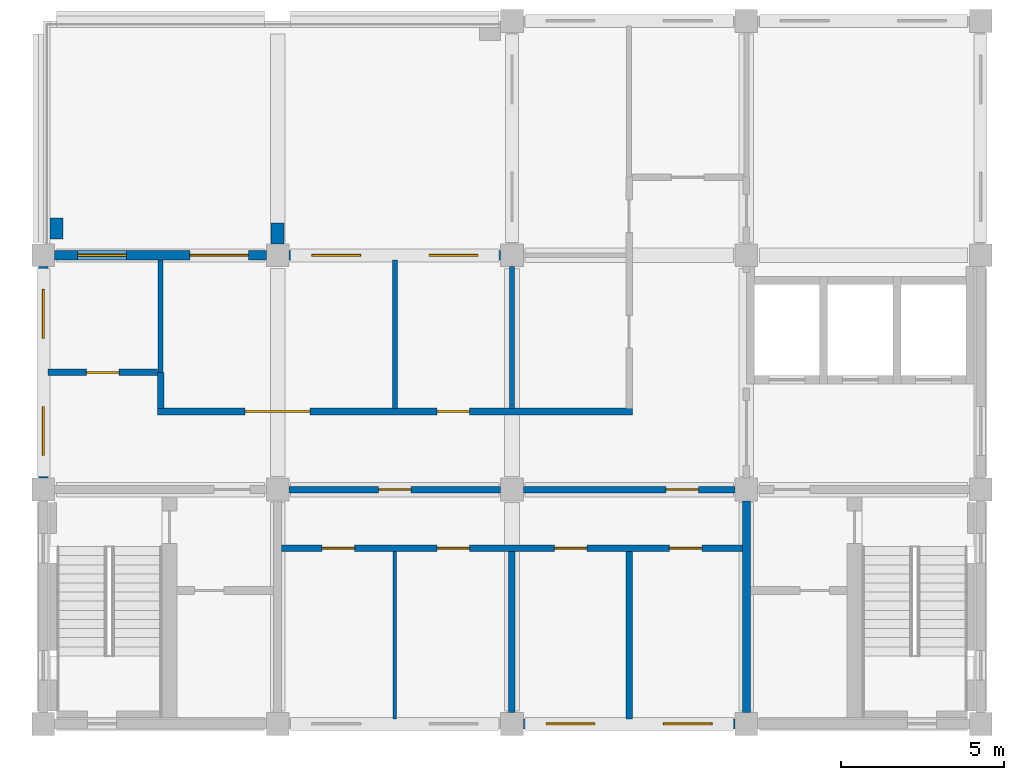
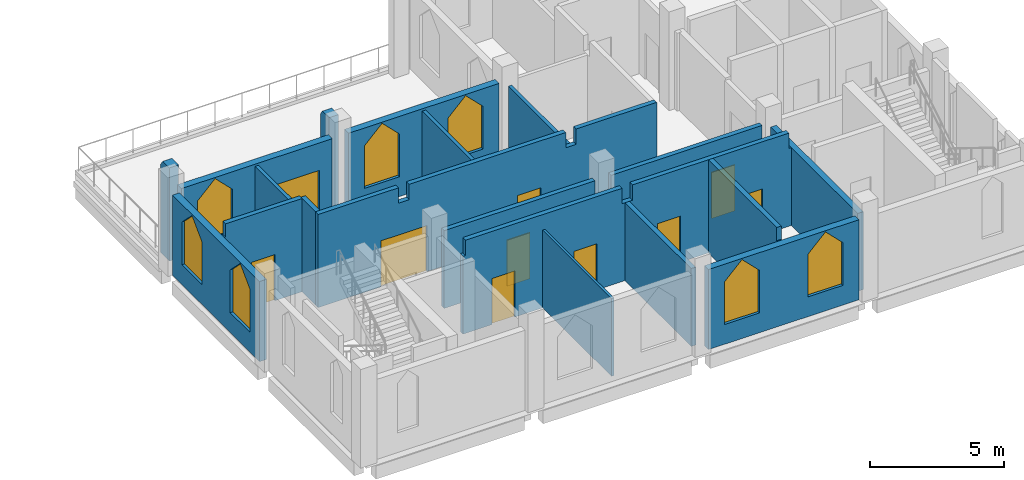
# One storey, part 25 of 29: 19 walls, 10 doors, 7 windows, 17 openings.
"""IFC4 building model written with IfcOpenShell, lengths in metres."""

from ifc_helpers import new_model, si_unit, direction, frame, frame_2d, origin, place, context, subcontext, project, spatial, polyline, rectangle, outline, extrude, material, layer, layer_set, type_object, element, fill, save


model = new_model("IFC4")

# Units and contexts
model_context = context("Model", 3, precision=1e-05, world=origin(), true_north=direction((0.0, 1.0)))
body_context = subcontext(model_context, "Body", "Model", "MODEL_VIEW")
ifc_project = project(units=[si_unit("LENGTHUNIT", "METRE"), si_unit("AREAUNIT", "SQUARE_METRE"), si_unit("VOLUMEUNIT", "CUBIC_METRE"), si_unit("PLANEANGLEUNIT", "RADIAN"), si_unit("MASSUNIT", "GRAM", prefix="KILO")], contexts=[model_context])

# Site, building, storey
site_placement = place(None, origin())
site = spatial("IfcSite", under=ifc_project, at=site_placement, CompositionType="ELEMENT")
building_placement = place(site_placement, origin())
building = spatial("IfcBuilding", under=site, at=building_placement, Name="Silangan Lancet Faculty of Sciences", CompositionType="ELEMENT")
storey_placement = place(building_placement, frame((0.0, 0.0, 54.300048828125)))
storey = spatial("IfcBuildingStorey", under=building, at=storey_placement, Name="L11", CompositionType="ELEMENT", Elevation=54.300048828125)

# Wall, openings, windows
ifc_material_1 = material(Name="Concrete C40/50 precast", Category="concrete")
ifc_layer_1 = layer(ifc_material_1, 0.300048828125)
ifc_layer_set_1 = layer_set([ifc_layer_1], Name="Concrete C40/50 precast")
wall_type_1 = type_object("IfcWallType", Name="EW1 Precast cladding wall", PredefinedType="STANDARD", material=ifc_layer_set_1)
wall_1_placement = place(storey_placement, frame((0.0, 7.550048828125, 0.0), z_axis=(0.0, 0.0, 1.0), x_axis=(0.0, 1.0, 0.0)))
wall_1 = element("IfcWall", 1, at=wall_1_placement, inside=storey, type_object=wall_type_1, Name="EW-L11-W-ST-U-01", PredefinedType="STANDARD", context=body_context, shape_type="SweptSolid", body=[
    extrude(rectangle(XDim=6.5, YDim=0.300048828125, at=frame_2d((3.25, 0.0))), origin(), (0.0, 0.0, 1.0), 3.64990234375),
])
opening_1_placement = place(wall_1_placement, frame((0.699951171875, 0.0, 0.89990234375)))
opening_1 = element("IfcOpeningElement", 2, at=opening_1_placement, cuts=wall_1, Name="Opening W23", PredefinedType="OPENING", context=body_context, shape_type="SweptSolid", body=[
    extrude(outline(polyline([(0.0, 0.0), (1.5, 0.0), (1.5, 1.949951171875), (0.75, 2.699951171875), (0.0, 1.949951171875), (0.0, 0.0)])), frame((0.0, 0.159912109375, 0.0), z_axis=(0.0, -1.0, 0.0), x_axis=(1.0, 0.0, 0.0)), (0.0, 0.0, 1.0), 0.320068359375),
])
opening_2_placement = place(wall_1_placement, frame((4.300048828125, 0.0, 0.89990234375)))
opening_2 = element("IfcOpeningElement", 3, at=opening_2_placement, cuts=wall_1, Name="Opening W23", PredefinedType="OPENING", context=body_context, shape_type="SweptSolid", body=[
    extrude(outline(polyline([(0.0, 0.0), (1.5, 0.0), (1.5, 1.949951171875), (0.75, 2.699951171875), (0.0, 1.949951171875), (0.0, 0.0)])), frame((0.0, 0.159912109375, 0.0), z_axis=(0.0, -1.0, 0.0), x_axis=(1.0, 0.0, 0.0)), (0.0, 0.0, 1.0), 0.320068359375),
])
ifc_material_2 = material(Name="Aluminium frame, laminated double glazing", Category="aluminium")
window_type = type_object("IfcWindowType", Name="W23 Lancet window 1500 x 2700", PartitioningType="SINGLE_PANEL", PredefinedType="WINDOW", material=ifc_material_2)
window_1_placement = place(opening_1_placement, origin())
window_1 = element("IfcWindow", 4, at=window_1_placement, inside=storey, type_object=window_type, Name="WIN-L11-W-ST-U-01a", OverallHeight=2.699951171875, OverallWidth=1.5, PartitioningType="SINGLE_PANEL", PredefinedType="WINDOW", context=body_context, shape_type="SweptSolid", body=[
    extrude(outline(polyline([(0.0, 0.0), (1.5, 0.0), (1.5, 1.949951171875), (0.75, 2.699951171875), (0.0, 1.949951171875), (0.0, 0.0)])), frame((0.0, 0.030029296875, 0.0), z_axis=(0.0, -1.0, 0.0), x_axis=(1.0, 0.0, 0.0)), (0.0, 0.0, 1.0), 0.06005859375),
])
fill(opening_1, window_1)
window_2_placement = place(opening_2_placement, origin())
window_2 = element("IfcWindow", 5, at=window_2_placement, inside=storey, type_object=window_type, Name="WIN-L11-W-ST-U-01b", OverallHeight=2.699951171875, OverallWidth=1.5, PartitioningType="SINGLE_PANEL", PredefinedType="WINDOW", context=body_context, shape_type="SweptSolid", body=[
    extrude(outline(polyline([(0.0, 0.0), (1.5, 0.0), (1.5, 1.949951171875), (0.75, 2.699951171875), (0.0, 1.949951171875), (0.0, 0.0)])), frame((0.0, 0.030029296875, 0.0), z_axis=(0.0, -1.0, 0.0), x_axis=(1.0, 0.0, 0.0)), (0.0, 0.0, 1.0), 0.06005859375),
])
fill(opening_2, window_2)

wall_2_placement = place(storey_placement, frame((14.75, 0.0, 0.0), z_axis=(0.0, 0.0, 1.0), x_axis=(1.0, 0.0, 0.0)))
wall_2 = element("IfcWall", 6, at=wall_2_placement, inside=storey, type_object=wall_type_1, Name="EW-L11-S-ST-02", PredefinedType="STANDARD", context=body_context, shape_type="SweptSolid", body=[
    extrude(rectangle(XDim=6.5, YDim=0.300048828125, at=frame_2d((3.25, 0.0))), origin(), (0.0, 0.0, 1.0), 3.64990234375),
])
opening_3_placement = place(wall_2_placement, frame((0.699951171875, 0.0, 0.89990234375)))
opening_3 = element("IfcOpeningElement", 7, at=opening_3_placement, cuts=wall_2, Name="Opening W23", PredefinedType="OPENING", context=body_context, shape_type="SweptSolid", body=[
    extrude(outline(polyline([(0.0, 0.0), (1.5, 0.0), (1.5, 1.949951171875), (0.75, 2.699951171875), (0.0, 1.949951171875), (0.0, 0.0)])), frame((0.0, 0.159912109375, 0.0), z_axis=(0.0, -1.0, 0.0), x_axis=(1.0, 0.0, 0.0)), (0.0, 0.0, 1.0), 0.320068359375),
])
opening_4_placement = place(wall_2_placement, frame((4.300048828125, 0.0, 0.89990234375)))
opening_4 = element("IfcOpeningElement", 8, at=opening_4_placement, cuts=wall_2, Name="Opening W23", PredefinedType="OPENING", context=body_context, shape_type="SweptSolid", body=[
    extrude(outline(polyline([(0.0, 0.0), (1.5, 0.0), (1.5, 1.949951171875), (0.75, 2.699951171875), (0.0, 1.949951171875), (0.0, 0.0)])), frame((0.0, 0.159912109375, 0.0), z_axis=(0.0, -1.0, 0.0), x_axis=(1.0, 0.0, 0.0)), (0.0, 0.0, 1.0), 0.320068359375),
])
window_3_placement = place(opening_3_placement, origin())
window_3 = element("IfcWindow", 9, at=window_3_placement, inside=storey, type_object=window_type, Name="WIN-L11-S-ST-02a", OverallHeight=2.699951171875, OverallWidth=1.5, PartitioningType="SINGLE_PANEL", PredefinedType="WINDOW", context=body_context, shape_type="SweptSolid", body=[
    extrude(outline(polyline([(0.0, 0.0), (1.5, 0.0), (1.5, 1.949951171875), (0.75, 2.699951171875), (0.0, 1.949951171875), (0.0, 0.0)])), frame((0.0, 0.030029296875, 0.0), z_axis=(0.0, -1.0, 0.0), x_axis=(1.0, 0.0, 0.0)), (0.0, 0.0, 1.0), 0.06005859375),
])
fill(opening_3, window_3)
window_4_placement = place(opening_4_placement, origin())
window_4 = element("IfcWindow", 10, at=window_4_placement, inside=storey, type_object=window_type, Name="WIN-L11-S-ST-02b", OverallHeight=2.699951171875, OverallWidth=1.5, PartitioningType="SINGLE_PANEL", PredefinedType="WINDOW", context=body_context, shape_type="SweptSolid", body=[
    extrude(outline(polyline([(0.0, 0.0), (1.5, 0.0), (1.5, 1.949951171875), (0.75, 2.699951171875), (0.0, 1.949951171875), (0.0, 0.0)])), frame((0.0, 0.030029296875, 0.0), z_axis=(0.0, -1.0, 0.0), x_axis=(1.0, 0.0, 0.0)), (0.0, 0.0, 1.0), 0.06005859375),
])
fill(opening_4, window_4)

wall_3_placement = place(storey_placement, frame((14.050048828125, 14.39990234375, 0.0), z_axis=(0.0, 0.0, 1.0), x_axis=(-1.0, 0.0, 0.0)))
wall_3 = element("IfcWall", 11, at=wall_3_placement, inside=storey, type_object=wall_type_1, Name="EW-L11-N-ST-T-00", PredefinedType="STANDARD", context=body_context, shape_type="SweptSolid", body=[
    extrude(rectangle(XDim=6.5, YDim=0.300048828125, at=frame_2d((3.25, 0.0))), origin(), (0.0, 0.0, 1.0), 3.64990234375),
])
opening_5_placement = place(wall_3_placement, frame((0.699951171875, 0.0, 0.89990234375)))
opening_5 = element("IfcOpeningElement", 12, at=opening_5_placement, cuts=wall_3, Name="Opening W23", PredefinedType="OPENING", context=body_context, shape_type="SweptSolid", body=[
    extrude(outline(polyline([(0.0, 0.0), (1.5, 0.0), (1.5, 1.949951171875), (0.75, 2.699951171875), (0.0, 1.949951171875), (0.0, 0.0)])), frame((0.0, 0.159912109375, 0.0), z_axis=(0.0, -1.0, 0.0), x_axis=(1.0, 0.0, 0.0)), (0.0, 0.0, 1.0), 0.320068359375),
])
opening_6_placement = place(wall_3_placement, frame((4.300048828125, 0.0, 0.89990234375)))
opening_6 = element("IfcOpeningElement", 13, at=opening_6_placement, cuts=wall_3, Name="Opening W23", PredefinedType="OPENING", context=body_context, shape_type="SweptSolid", body=[
    extrude(outline(polyline([(0.0, 0.0), (1.5, 0.0), (1.5, 1.949951171875), (0.75, 2.699951171875), (0.0, 1.949951171875), (0.0, 0.0)])), frame((0.0, 0.159912109375, 0.0), z_axis=(0.0, -1.0, 0.0), x_axis=(1.0, 0.0, 0.0)), (0.0, 0.0, 1.0), 0.320068359375),
])
window_5_placement = place(opening_5_placement, origin())
window_5 = element("IfcWindow", 14, at=window_5_placement, inside=storey, type_object=window_type, Name="WIN-L11-N-ST-T-00a", OverallHeight=2.699951171875, OverallWidth=1.5, PartitioningType="SINGLE_PANEL", PredefinedType="WINDOW", context=body_context, shape_type="SweptSolid", body=[
    extrude(outline(polyline([(0.0, 0.0), (1.5, 0.0), (1.5, 1.949951171875), (0.75, 2.699951171875), (0.0, 1.949951171875), (0.0, 0.0)])), frame((0.0, 0.030029296875, 0.0), z_axis=(0.0, -1.0, 0.0), x_axis=(1.0, 0.0, 0.0)), (0.0, 0.0, 1.0), 0.06005859375),
])
fill(opening_5, window_5)
window_6_placement = place(opening_6_placement, origin())
window_6 = element("IfcWindow", 15, at=window_6_placement, inside=storey, type_object=window_type, Name="WIN-L11-N-ST-T-00b", OverallHeight=2.699951171875, OverallWidth=1.5, PartitioningType="SINGLE_PANEL", PredefinedType="WINDOW", context=body_context, shape_type="SweptSolid", body=[
    extrude(outline(polyline([(0.0, 0.0), (1.5, 0.0), (1.5, 1.949951171875), (0.75, 2.699951171875), (0.0, 1.949951171875), (0.0, 0.0)])), frame((0.0, 0.030029296875, 0.0), z_axis=(0.0, -1.0, 0.0), x_axis=(1.0, 0.0, 0.0)), (0.0, 0.0, 1.0), 0.06005859375),
])
fill(opening_6, window_6)

# Wall, openings, window, door
wall_4_placement = place(storey_placement, frame((6.85009765625, 14.39990234375, 0.0), z_axis=(0.0, 0.0, 1.0), x_axis=(-1.0, 0.0, 0.0)))
wall_4 = element("IfcWall", 16, at=wall_4_placement, inside=storey, type_object=wall_type_1, Name="EW-L11-N-ST-T-01", PredefinedType="STANDARD", context=body_context, shape_type="SweptSolid", body=[
    extrude(rectangle(XDim=6.5, YDim=0.300048828125, at=frame_2d((3.25, 0.0))), origin(), (0.0, 0.0, 1.0), 3.64990234375),
])
opening_7_placement = place(wall_4_placement, frame((0.550048828125, 0.0, 0.0)))
opening_7 = element("IfcOpeningElement", 17, at=opening_7_placement, cuts=wall_4, Name="Opening L11-901", PredefinedType="OPENING", context=body_context, shape_type="SweptSolid", body=[
    extrude(rectangle(XDim=1.800048828125, YDim=2.39990234375, at=frame_2d((0.89990234375, 1.199951171875))), frame((0.0, 0.159912109375, 0.0), z_axis=(0.0, -1.0, 0.0), x_axis=(1.0, 0.0, 0.0)), (0.0, 0.0, 1.0), 0.320068359375),
])
opening_8_placement = place(wall_4_placement, frame((4.300048828125, 0.0, 0.89990234375)))
opening_8 = element("IfcOpeningElement", 18, at=opening_8_placement, cuts=wall_4, Name="Opening W23", PredefinedType="OPENING", context=body_context, shape_type="SweptSolid", body=[
    extrude(outline(polyline([(0.0, 0.0), (1.5, 0.0), (1.5, 1.949951171875), (0.75, 2.699951171875), (0.0, 1.949951171875), (0.0, 0.0)])), frame((0.0, 0.159912109375, 0.0), z_axis=(0.0, -1.0, 0.0), x_axis=(1.0, 0.0, 0.0)), (0.0, 0.0, 1.0), 0.320068359375),
])
window_7_placement = place(opening_8_placement, origin())
window_7 = element("IfcWindow", 19, at=window_7_placement, inside=storey, type_object=window_type, Name="WIN-L11-N-ST-T-01b", OverallHeight=2.699951171875, OverallWidth=1.5, PartitioningType="SINGLE_PANEL", PredefinedType="WINDOW", context=body_context, shape_type="SweptSolid", body=[
    extrude(outline(polyline([(0.0, 0.0), (1.5, 0.0), (1.5, 1.949951171875), (0.75, 2.699951171875), (0.0, 1.949951171875), (0.0, 0.0)])), frame((0.0, 0.030029296875, 0.0), z_axis=(0.0, -1.0, 0.0), x_axis=(1.0, 0.0, 0.0)), (0.0, 0.0, 1.0), 0.06005859375),
])
fill(opening_8, window_7)
ifc_material_3 = material(Name="Aluminium frame, laminated glazing", Category="aluminium")
door_type_1 = type_object("IfcDoorType", Name="XD3 Terrace door pair 1800 x 2400", OperationType="DOUBLE_DOOR_SINGLE_SWING", PredefinedType="DOOR", material=ifc_material_3)
door_1_placement = place(opening_7_placement, frame((1.800048828125, 0.0, 0.0), z_axis=(0.0, 0.0, 1.0), x_axis=(-1.0, 0.0, 0.0)))
door_1 = element("IfcDoor", 20, at=door_1_placement, inside=storey, type_object=door_type_1, Name="DOOR-L11-901", OperationType="DOUBLE_DOOR_SINGLE_SWING", OverallHeight=2.39990234375, OverallWidth=1.800048828125, PredefinedType="DOOR", context=body_context, shape_type="SweptSolid", body=[
    extrude(rectangle(XDim=1.800048828125, YDim=2.39990234375, at=frame_2d((0.89990234375, 1.199951171875))), frame((0.0, 0.025146484375, 0.0), z_axis=(0.0, -1.0, 0.0), x_axis=(1.0, 0.0, 0.0)), (0.0, 0.0, 1.0), 0.050048828125),
])
fill(opening_7, door_1)

# Walls
ifc_material_4 = material(Name="Concrete C40/50 precast", Category="concrete")
ifc_layer_2 = layer(ifc_material_4, 0.39990234375)
ifc_layer_set_2 = layer_set([ifc_layer_2], Name="Concrete C40/50 precast")
wall_type_2 = type_object("IfcWallType", Name="FN19 Buttress Fin column line stage 3 4250", PredefinedType="POLYGONAL", material=ifc_layer_set_2)
wall_5_placement = place(storey_placement, frame((0.39990234375, 14.89990234375, 0.0), z_axis=(0.0, 0.0, 1.0), x_axis=(0.0, 1.0, 0.0)))
element("IfcWall", 21, at=wall_5_placement, inside=storey, type_object=wall_type_2, Name="FINC-N-ST-T-01", PredefinedType="POLYGONAL", context=body_context, shape_type="SweptSolid", body=[
    extrude(outline(polyline([(0.64990234375, 0.0), (0.64990234375, 4.02490234375), (0.5, 4.25), (0.0, 4.25), (0.0, 0.0), (0.64990234375, 0.0)])), frame((0.0, 0.199951171875, 0.0), z_axis=(0.0, -1.0, 0.0), x_axis=(1.0, 0.0, 0.0)), (0.0, 0.0, 1.0), 0.39990234375),
])
ifc_material_5 = material(Name="Concrete C40/50 precast", Category="concrete")
ifc_layer_3 = layer(ifc_material_5, 0.39990234375)
ifc_layer_set_3 = layer_set([ifc_layer_3], Name="Concrete C40/50 precast")
wall_type_3 = type_object("IfcWallType", Name="FN32 Buttress Fin column line stage 3 4250", PredefinedType="POLYGONAL", material=ifc_layer_set_3)
wall_6_placement = place(storey_placement, frame((7.199951171875, 14.75, 0.0), z_axis=(0.0, 0.0, 1.0), x_axis=(0.0, 1.0, 0.0)))
element("IfcWall", 22, at=wall_6_placement, inside=storey, type_object=wall_type_3, Name="FINC-N-ST-T-02", PredefinedType="POLYGONAL", context=body_context, shape_type="SweptSolid", body=[
    extrude(outline(polyline([(0.64990234375, 0.0), (0.64990234375, 4.02490234375), (0.5, 4.25), (0.0, 4.25), (0.0, 0.0), (0.64990234375, 0.0)])), frame((0.0, 0.199951171875, 0.0), z_axis=(0.0, -1.0, 0.0), x_axis=(1.0, 0.0, 0.0)), (0.0, 0.0, 1.0), 0.39990234375),
])

# Wall, openings, doors
ifc_material_6 = material(Name="Hollow block masonry fm 7 MPa", Category="masonry")
ifc_layer_4 = layer(ifc_material_6, 0.199951171875)
ifc_layer_set_4 = layer_set([ifc_layer_4], Name="Hollow block masonry fm 7 MPa")
wall_type_4 = type_object("IfcWallType", Name="Interior wall PW1 Corridor wall CHB 200", PredefinedType="PARTITIONING", material=ifc_layer_set_4)
wall_7_placement = place(storey_placement, frame((7.324951171875, 5.39990234375, 0.0), z_axis=(0.0, 0.0, 1.0), x_axis=(1.0, 0.0, 0.0)))
wall_7 = element("IfcWall", 23, at=wall_7_placement, inside=storey, type_object=wall_type_4, Name="Corridor wall CHB 200", PredefinedType="PARTITIONING", context=body_context, shape_type="SweptSolid", body=[
    extrude(outline(polyline([(0.0, 0.0), (14.150146484375, 0.0), (14.150146484375, 3.550048828125), (14.050048828125, 3.550048828125), (14.050048828125, 4.25), (7.300048828125, 4.25), (7.300048828125, 3.550048828125), (6.85009765625, 3.550048828125), (6.85009765625, 4.25), (0.10009765625, 4.25), (0.10009765625, 3.550048828125), (0.0, 3.550048828125), (0.0, 0.0)])), frame((0.0, 0.10009765625, 0.0), z_axis=(0.0, -1.0, 0.0), x_axis=(1.0, 0.0, 0.0)), (0.0, 0.0, 1.0), 0.199951171875),
])
opening_9_placement = place(wall_7_placement, frame((1.237548828125, 0.0, 0.0)))
opening_9 = element("IfcOpeningElement", 24, at=opening_9_placement, cuts=wall_7, Name="Opening L11-004", PredefinedType="OPENING", context=body_context, shape_type="SweptSolid", body=[
    extrude(rectangle(XDim=1.0, YDim=2.10009765625, at=frame_2d((0.5, 1.050048828125))), frame((0.0, 0.10986328125, 0.0), z_axis=(0.0, -1.0, 0.0), x_axis=(1.0, 0.0, 0.0)), (0.0, 0.0, 1.0), 0.219970703125),
])
opening_10_placement = place(wall_7_placement, frame((4.77490234375, 0.0, 0.0)))
opening_10 = element("IfcOpeningElement", 25, at=opening_10_placement, cuts=wall_7, Name="Opening L11-005", PredefinedType="OPENING", context=body_context, shape_type="SweptSolid", body=[
    extrude(rectangle(XDim=1.0, YDim=2.10009765625, at=frame_2d((0.5, 1.050048828125))), frame((0.0, 0.10986328125, 0.0), z_axis=(0.0, -1.0, 0.0), x_axis=(1.0, 0.0, 0.0)), (0.0, 0.0, 1.0), 0.219970703125),
])
opening_11_placement = place(wall_7_placement, frame((8.375, 0.0, 0.0)))
opening_11 = element("IfcOpeningElement", 26, at=opening_11_placement, cuts=wall_7, Name="Opening L11-006", PredefinedType="OPENING", context=body_context, shape_type="SweptSolid", body=[
    extrude(rectangle(XDim=1.0, YDim=2.10009765625, at=frame_2d((0.5, 1.050048828125))), frame((0.0, 0.10986328125, 0.0), z_axis=(0.0, -1.0, 0.0), x_axis=(1.0, 0.0, 0.0)), (0.0, 0.0, 1.0), 0.219970703125),
])
opening_12_placement = place(wall_7_placement, frame((11.91259765625, 0.0, 0.0)))
opening_12 = element("IfcOpeningElement", 27, at=opening_12_placement, cuts=wall_7, Name="Opening L11-007", PredefinedType="OPENING", context=body_context, shape_type="SweptSolid", body=[
    extrude(rectangle(XDim=1.0, YDim=2.10009765625, at=frame_2d((0.5, 1.050048828125))), frame((0.0, 0.10986328125, 0.0), z_axis=(0.0, -1.0, 0.0), x_axis=(1.0, 0.0, 0.0)), (0.0, 0.0, 1.0), 0.219970703125),
])
ifc_material_7 = material(Name="Steel fire door set", Category="steel")
door_type_2 = type_object("IfcDoorType", Name="Door D1 Single leaf fire door 1000 x 2100", OperationType="SINGLE_SWING_LEFT", PredefinedType="DOOR", material=ifc_material_7)
door_2_placement = place(opening_9_placement, frame((1.0, 0.0, 0.0), z_axis=(0.0, 0.0, 1.0), x_axis=(-1.0, 0.0, 0.0)))
door_2 = element("IfcDoor", 28, at=door_2_placement, inside=storey, type_object=door_type_2, Name="Single leaf fire door 1000 x 2100", OperationType="SINGLE_SWING_LEFT", OverallHeight=2.10009765625, OverallWidth=1.0, PredefinedType="DOOR", context=body_context, shape_type="SweptSolid", body=[
    extrude(rectangle(XDim=1.0, YDim=2.10009765625, at=frame_2d((0.5, 1.050048828125))), frame((0.0, 0.025146484375, 0.0), z_axis=(0.0, -1.0, 0.0), x_axis=(1.0, 0.0, 0.0)), (0.0, 0.0, 1.0), 0.050048828125),
])
fill(opening_9, door_2)
door_3_placement = place(opening_10_placement, frame((1.0, 0.0, 0.0), z_axis=(0.0, 0.0, 1.0), x_axis=(-1.0, 0.0, 0.0)))
door_3 = element("IfcDoor", 29, at=door_3_placement, inside=storey, type_object=door_type_2, Name="Single leaf fire door 1000 x 2100", OperationType="SINGLE_SWING_RIGHT", OverallHeight=2.10009765625, OverallWidth=1.0, PredefinedType="DOOR", context=body_context, shape_type="SweptSolid", body=[
    extrude(rectangle(XDim=1.0, YDim=2.10009765625, at=frame_2d((0.5, 1.050048828125))), frame((0.0, 0.025146484375, 0.0), z_axis=(0.0, -1.0, 0.0), x_axis=(1.0, 0.0, 0.0)), (0.0, 0.0, 1.0), 0.050048828125),
])
fill(opening_10, door_3)
door_4_placement = place(opening_11_placement, frame((1.0, 0.0, 0.0), z_axis=(0.0, 0.0, 1.0), x_axis=(-1.0, 0.0, 0.0)))
door_4 = element("IfcDoor", 30, at=door_4_placement, inside=storey, type_object=door_type_2, Name="Single leaf fire door 1000 x 2100", OperationType="SINGLE_SWING_LEFT", OverallHeight=2.10009765625, OverallWidth=1.0, PredefinedType="DOOR", context=body_context, shape_type="SweptSolid", body=[
    extrude(rectangle(XDim=1.0, YDim=2.10009765625, at=frame_2d((0.5, 1.050048828125))), frame((0.0, 0.025146484375, 0.0), z_axis=(0.0, -1.0, 0.0), x_axis=(1.0, 0.0, 0.0)), (0.0, 0.0, 1.0), 0.050048828125),
])
fill(opening_11, door_4)
door_5_placement = place(opening_12_placement, frame((1.0, 0.0, 0.0), z_axis=(0.0, 0.0, 1.0), x_axis=(-1.0, 0.0, 0.0)))
door_5 = element("IfcDoor", 31, at=door_5_placement, inside=storey, type_object=door_type_2, Name="Single leaf fire door 1000 x 2100", OperationType="SINGLE_SWING_RIGHT", OverallHeight=2.10009765625, OverallWidth=1.0, PredefinedType="DOOR", context=body_context, shape_type="SweptSolid", body=[
    extrude(rectangle(XDim=1.0, YDim=2.10009765625, at=frame_2d((0.5, 1.050048828125))), frame((0.0, 0.025146484375, 0.0), z_axis=(0.0, -1.0, 0.0), x_axis=(1.0, 0.0, 0.0)), (0.0, 0.0, 1.0), 0.050048828125),
])
fill(opening_12, door_5)

# Wall, opening, door
wall_8_placement = place(storey_placement, frame((7.550048828125, 7.199951171875, 0.0), z_axis=(0.0, 0.0, 1.0), x_axis=(1.0, 0.0, 0.0)))
wall_8 = element("IfcWall", 32, at=wall_8_placement, inside=storey, type_object=wall_type_4, Name="Corridor wall CHB 200", PredefinedType="PARTITIONING", context=body_context, shape_type="SweptSolid", body=[
    extrude(rectangle(XDim=6.5, YDim=0.199951171875, at=frame_2d((3.25, 0.0))), origin(), (0.0, 0.0, 1.0), 3.550048828125),
])
opening_13_placement = place(wall_8_placement, frame((2.75, 0.0, 0.0)))
opening_13 = element("IfcOpeningElement", 33, at=opening_13_placement, cuts=wall_8, Name="Opening L11-002", PredefinedType="OPENING", context=body_context, shape_type="SweptSolid", body=[
    extrude(rectangle(XDim=1.0, YDim=2.10009765625, at=frame_2d((0.5, 1.050048828125))), frame((0.0, 0.10986328125, 0.0), z_axis=(0.0, -1.0, 0.0), x_axis=(1.0, 0.0, 0.0)), (0.0, 0.0, 1.0), 0.219970703125),
])
door_6_placement = place(opening_13_placement, frame((1.0, 0.0, 0.0), z_axis=(0.0, 0.0, 1.0), x_axis=(-1.0, 0.0, 0.0)))
door_6 = element("IfcDoor", 34, at=door_6_placement, inside=storey, type_object=door_type_2, Name="Single leaf fire door 1000 x 2100", OperationType="SINGLE_SWING_LEFT", OverallHeight=2.10009765625, OverallWidth=1.0, PredefinedType="DOOR", context=body_context, shape_type="SweptSolid", body=[
    extrude(rectangle(XDim=1.0, YDim=2.10009765625, at=frame_2d((0.5, 1.050048828125))), frame((0.0, 0.025146484375, 0.0), z_axis=(0.0, -1.0, 0.0), x_axis=(1.0, 0.0, 0.0)), (0.0, 0.0, 1.0), 0.050048828125),
])
fill(opening_13, door_6)

wall_9_placement = place(storey_placement, frame((14.75, 7.199951171875, 0.0), z_axis=(0.0, 0.0, 1.0), x_axis=(1.0, 0.0, 0.0)))
wall_9 = element("IfcWall", 35, at=wall_9_placement, inside=storey, type_object=wall_type_4, Name="Corridor wall CHB 200", PredefinedType="PARTITIONING", context=body_context, shape_type="SweptSolid", body=[
    extrude(rectangle(XDim=6.5, YDim=0.199951171875, at=frame_2d((3.25, 0.0))), origin(), (0.0, 0.0, 1.0), 3.550048828125),
])
opening_14_placement = place(wall_9_placement, frame((4.375, 0.0, 0.0)))
opening_14 = element("IfcOpeningElement", 36, at=opening_14_placement, cuts=wall_9, Name="Opening L11-003", PredefinedType="OPENING", context=body_context, shape_type="SweptSolid", body=[
    extrude(rectangle(XDim=1.0, YDim=2.10009765625, at=frame_2d((0.5, 1.050048828125))), frame((0.0, 0.10986328125, 0.0), z_axis=(0.0, -1.0, 0.0), x_axis=(1.0, 0.0, 0.0)), (0.0, 0.0, 1.0), 0.219970703125),
])
door_7_placement = place(opening_14_placement, frame((1.0, 0.0, 0.0), z_axis=(0.0, 0.0, 1.0), x_axis=(-1.0, 0.0, 0.0)))
door_7 = element("IfcDoor", 37, at=door_7_placement, inside=storey, type_object=door_type_2, Name="Single leaf fire door 1000 x 2100", OperationType="SINGLE_SWING_RIGHT", OverallHeight=2.10009765625, OverallWidth=1.0, PredefinedType="DOOR", context=body_context, shape_type="SweptSolid", body=[
    extrude(rectangle(XDim=1.0, YDim=2.10009765625, at=frame_2d((0.5, 1.050048828125))), frame((0.0, 0.025146484375, 0.0), z_axis=(0.0, -1.0, 0.0), x_axis=(1.0, 0.0, 0.0)), (0.0, 0.0, 1.0), 0.050048828125),
])
fill(opening_14, door_7)

# Wall, openings, doors
wall_10_placement = place(storey_placement, frame((3.5, 9.60009765625, 0.0), z_axis=(0.0, 0.0, 1.0), x_axis=(1.0, 0.0, 0.0)))
wall_10 = element("IfcWall", 38, at=wall_10_placement, inside=storey, type_object=wall_type_4, Name="Corridor wall CHB 200", PredefinedType="PARTITIONING", context=body_context, shape_type="SweptSolid", body=[
    extrude(outline(polyline([(0.0, 0.0), (14.60009765625, 0.0), (14.60009765625, 4.25), (11.125, 4.25), (11.125, 3.550048828125), (10.675048828125, 3.550048828125), (10.675048828125, 4.25), (3.925048828125, 4.25), (3.925048828125, 3.550048828125), (3.47509765625, 3.550048828125), (3.47509765625, 4.25), (0.0, 4.25), (0.0, 0.0)])), frame((0.0, 0.10009765625, 0.0), z_axis=(0.0, -1.0, 0.0), x_axis=(1.0, 0.0, 0.0)), (0.0, 0.0, 1.0), 0.199951171875),
])
opening_15_placement = place(wall_10_placement, frame((2.699951171875, 0.0, 0.0)))
opening_15 = element("IfcOpeningElement", 39, at=opening_15_placement, cuts=wall_10, Name="Opening L11-012", PredefinedType="OPENING", context=body_context, shape_type="SweptSolid", body=[
    extrude(rectangle(XDim=2.0, YDim=2.10009765625, at=frame_2d((1.0, 1.050048828125))), frame((0.0, 0.10986328125, 0.0), z_axis=(0.0, -1.0, 0.0), x_axis=(1.0, 0.0, 0.0)), (0.0, 0.0, 1.0), 0.219970703125),
])
opening_16_placement = place(wall_10_placement, frame((8.60009765625, 0.0, 0.0)))
opening_16 = element("IfcOpeningElement", 40, at=opening_16_placement, cuts=wall_10, Name="Opening L11-013", PredefinedType="OPENING", context=body_context, shape_type="SweptSolid", body=[
    extrude(rectangle(XDim=1.0, YDim=2.10009765625, at=frame_2d((0.5, 1.050048828125))), frame((0.0, 0.10986328125, 0.0), z_axis=(0.0, -1.0, 0.0), x_axis=(1.0, 0.0, 0.0)), (0.0, 0.0, 1.0), 0.219970703125),
])
door_8_placement = place(opening_16_placement, origin())
door_8 = element("IfcDoor", 41, at=door_8_placement, inside=storey, type_object=door_type_2, Name="Single leaf fire door 1000 x 2100", OperationType="SINGLE_SWING_LEFT", OverallHeight=2.10009765625, OverallWidth=1.0, PredefinedType="DOOR", context=body_context, shape_type="SweptSolid", body=[
    extrude(rectangle(XDim=1.0, YDim=2.10009765625, at=frame_2d((0.5, 1.050048828125))), frame((0.0, 0.02490234375, 0.0), z_axis=(0.0, -1.0, 0.0), x_axis=(1.0, 0.0, 0.0)), (0.0, 0.0, 1.0), 0.050048828125),
])
fill(opening_16, door_8)
ifc_material_8 = material(Name="Steel fire door set", Category="steel")
door_type_3 = type_object("IfcDoorType", Name="Door D4 Double leaf fire door 2000 x 2100", OperationType="DOUBLE_DOOR_SINGLE_SWING", PredefinedType="DOOR", material=ifc_material_8)
door_9_placement = place(opening_15_placement, origin())
door_9 = element("IfcDoor", 42, at=door_9_placement, inside=storey, type_object=door_type_3, Name="Double leaf fire door 2000 x 2100", OperationType="DOUBLE_DOOR_SINGLE_SWING", OverallHeight=2.10009765625, OverallWidth=2.0, PredefinedType="DOOR", context=body_context, shape_type="SweptSolid", body=[
    extrude(rectangle(XDim=2.0, YDim=2.10009765625, at=frame_2d((1.0, 1.050048828125))), frame((0.0, 0.02490234375, 0.0), z_axis=(0.0, -1.0, 0.0), x_axis=(1.0, 0.0, 0.0)), (0.0, 0.0, 1.0), 0.050048828125),
])
fill(opening_15, door_9)

# Wall, opening, door
wall_11_placement = place(storey_placement, frame((0.14990234375, 10.800048828125, 0.0), z_axis=(0.0, 0.0, 1.0), x_axis=(1.0, 0.0, 0.0)))
wall_11 = element("IfcWall", 43, at=wall_11_placement, inside=storey, type_object=wall_type_4, Name="Corridor wall CHB 200", PredefinedType="PARTITIONING", context=body_context, shape_type="SweptSolid", body=[
    extrude(outline(polyline([(0.0, 0.0), (3.35009765625, 0.0), (3.35009765625, 4.25), (0.050048828125, 4.25), (0.050048828125, 3.64990234375), (0.0, 3.64990234375), (0.0, 0.0)])), frame((0.0, 0.10009765625, 0.0), z_axis=(0.0, -1.0, 0.0), x_axis=(1.0, 0.0, 0.0)), (0.0, 0.0, 1.0), 0.199951171875),
])
opening_17_placement = place(wall_11_placement, frame((1.175048828125, 0.0, 0.0)))
opening_17 = element("IfcOpeningElement", 44, at=opening_17_placement, cuts=wall_11, Name="Opening L11-011", PredefinedType="OPENING", context=body_context, shape_type="SweptSolid", body=[
    extrude(rectangle(XDim=1.0, YDim=2.10009765625, at=frame_2d((0.5, 1.050048828125))), frame((0.0, 0.10986328125, 0.0), z_axis=(0.0, -1.0, 0.0), x_axis=(1.0, 0.0, 0.0)), (0.0, 0.0, 1.0), 0.219970703125),
])
door_10_placement = place(opening_17_placement, origin())
door_10 = element("IfcDoor", 45, at=door_10_placement, inside=storey, type_object=door_type_2, Name="Single leaf fire door 1000 x 2100", OperationType="SINGLE_SWING_LEFT", OverallHeight=2.10009765625, OverallWidth=1.0, PredefinedType="DOOR", context=body_context, shape_type="SweptSolid", body=[
    extrude(rectangle(XDim=1.0, YDim=2.10009765625, at=frame_2d((0.5, 1.050048828125))), frame((0.0, 0.02490234375, 0.0), z_axis=(0.0, -1.0, 0.0), x_axis=(1.0, 0.0, 0.0)), (0.0, 0.0, 1.0), 0.050048828125),
])
fill(opening_17, door_10)

# Walls
wall_12_placement = place(storey_placement, frame((3.60009765625, 9.699951171875, 0.0), z_axis=(0.0, 0.0, 1.0), x_axis=(0.0, 1.0, 0.0)))
element("IfcWall", 46, at=wall_12_placement, inside=storey, type_object=wall_type_4, Name="Corridor wall CHB 200", PredefinedType="PARTITIONING", context=body_context, shape_type="SweptSolid", body=[
    extrude(rectangle(XDim=1.10009765625, YDim=0.199951171875, at=frame_2d((0.550048828125, 0.0))), origin(), (0.0, 0.0, 1.0), 4.25),
])
ifc_material_9 = material(Name="Hollow block masonry fm 7 MPa", Category="masonry")
ifc_layer_5 = layer(ifc_material_9, 0.14990234375)
ifc_layer_set_5 = layer_set([ifc_layer_5], Name="Hollow block masonry fm 7 MPa")
wall_type_5 = type_object("IfcWallType", Name="Interior wall PW3 Partition CHB 150", PredefinedType="PARTITIONING", material=ifc_layer_set_5)
wall_13_placement = place(storey_placement, frame((3.60009765625, 10.800048828125, 0.0), z_axis=(0.0, 0.0, 1.0), x_axis=(0.0, 1.0, 0.0)))
element("IfcWall", 47, at=wall_13_placement, inside=storey, type_object=wall_type_5, Name="Partition CHB 150", PredefinedType="PARTITIONING", context=body_context, shape_type="SweptSolid", body=[
    extrude(rectangle(XDim=3.449951171875, YDim=0.14990234375, at=frame_2d((1.72509765625, 0.0))), origin(), (0.0, 0.0, 1.0), 3.550048828125),
])
wall_14_placement = place(storey_placement, frame((10.800048828125, 9.699951171875, 0.0), z_axis=(0.0, 0.0, 1.0), x_axis=(0.0, 1.0, 0.0)))
element("IfcWall", 48, at=wall_14_placement, inside=storey, type_object=wall_type_5, Name="Partition CHB 150", PredefinedType="PARTITIONING", context=body_context, shape_type="SweptSolid", body=[
    extrude(rectangle(XDim=4.550048828125, YDim=0.14990234375, at=frame_2d((2.27490234375, 0.0))), origin(), (0.0, 0.0, 1.0), 3.550048828125),
])
wall_15_placement = place(storey_placement, frame((14.39990234375, 9.699951171875, 0.0), z_axis=(0.0, 0.0, 1.0), x_axis=(0.0, 1.0, 0.0)))
element("IfcWall", 49, at=wall_15_placement, inside=storey, type_object=wall_type_5, Name="Partition CHB 150", PredefinedType="PARTITIONING", context=body_context, shape_type="SweptSolid", body=[
    extrude(rectangle(XDim=4.35009765625, YDim=0.14990234375, at=frame_2d((2.175048828125, 0.0))), origin(), (0.0, 0.0, 1.0), 3.550048828125),
])
ifc_material_10 = material(Name="Hollow block masonry fm 7 MPa", Category="masonry")
ifc_layer_6 = layer(ifc_material_10, 0.199951171875)
ifc_layer_set_6 = layer_set([ifc_layer_6], Name="Hollow block masonry fm 7 MPa")
wall_type_6 = type_object("IfcWallType", Name="Interior wall PW4 Laboratory separation CHB 200", PredefinedType="PARTITIONING", material=ifc_layer_set_6)
wall_16_placement = place(storey_placement, frame((14.39990234375, 0.35009765625, 0.0), z_axis=(0.0, 0.0, 1.0), x_axis=(0.0, 1.0, 0.0)))
element("IfcWall", 50, at=wall_16_placement, inside=storey, type_object=wall_type_6, Name="Laboratory separation CHB 200", PredefinedType="PARTITIONING", context=body_context, shape_type="SweptSolid", body=[
    extrude(rectangle(XDim=4.949951171875, YDim=0.199951171875, at=frame_2d((2.47509765625, 0.0))), origin(), (0.0, 0.0, 1.0), 3.550048828125),
])
wall_17_placement = place(storey_placement, frame((18.0, 0.14990234375, 0.0), z_axis=(0.0, 0.0, 1.0), x_axis=(0.0, 1.0, 0.0)))
element("IfcWall", 51, at=wall_17_placement, inside=storey, type_object=wall_type_6, Name="Laboratory separation CHB 200", PredefinedType="PARTITIONING", context=body_context, shape_type="SweptSolid", body=[
    extrude(outline(polyline([(0.0, 0.0), (5.150146484375, 0.0), (5.150146484375, 4.25), (0.050048828125, 4.25), (0.050048828125, 3.64990234375), (0.0, 3.64990234375), (0.0, 0.0)])), frame((0.0, 0.10009765625, 0.0), z_axis=(0.0, -1.0, 0.0), x_axis=(1.0, 0.0, 0.0)), (0.0, 0.0, 1.0), 0.199951171875),
])
ifc_material_11 = material(Name="Hollow block masonry fm 7 MPa", Category="masonry")
ifc_layer_7 = layer(ifc_material_11, 0.10009765625)
ifc_layer_set_7 = layer_set([ifc_layer_7], Name="Hollow block masonry fm 7 MPa")
wall_type_7 = type_object("IfcWallType", Name="Interior wall PW8 WC partition CHB 100", PredefinedType="PARTITIONING", material=ifc_layer_set_7)
wall_18_placement = place(storey_placement, frame((10.800048828125, 0.14990234375, 0.0), z_axis=(0.0, 0.0, 1.0), x_axis=(0.0, 1.0, 0.0)))
element("IfcWall", 52, at=wall_18_placement, inside=storey, type_object=wall_type_7, Name="WC partition CHB 100", PredefinedType="PARTITIONING", context=body_context, shape_type="SweptSolid", body=[
    extrude(rectangle(XDim=5.150146484375, YDim=0.10009765625, at=frame_2d((2.5751953125, 0.0))), origin(), (0.0, 0.0, 1.0), 3.550048828125),
])
ifc_material_12 = material(Name="Concrete C40/50", Category="concrete")
ifc_layer_8 = layer(ifc_material_12, 0.25)
ifc_layer_set_8 = layer_set([ifc_layer_8], Name="Concrete C40/50")
wall_type_8 = type_object("IfcWallType", Name="TURRET WALL RC 250", PredefinedType="SHEAR", material=ifc_layer_set_8)
wall_19_placement = place(storey_placement, frame((21.60009765625, 0.35009765625, 0.0), z_axis=(0.0, 0.0, 1.0), x_axis=(0.0, 1.0, 0.0)))
element("IfcWall", 53, at=wall_19_placement, inside=storey, type_object=wall_type_8, Name="WALL-L11-ST-B-O", PredefinedType="SHEAR", context=body_context, shape_type="SweptSolid", body=[
    extrude(rectangle(XDim=6.5, YDim=0.25, at=frame_2d((3.25, 0.0))), origin(), (0.0, 0.0, 1.0), 3.550048828125),
])

save(model, "model.ifc")
